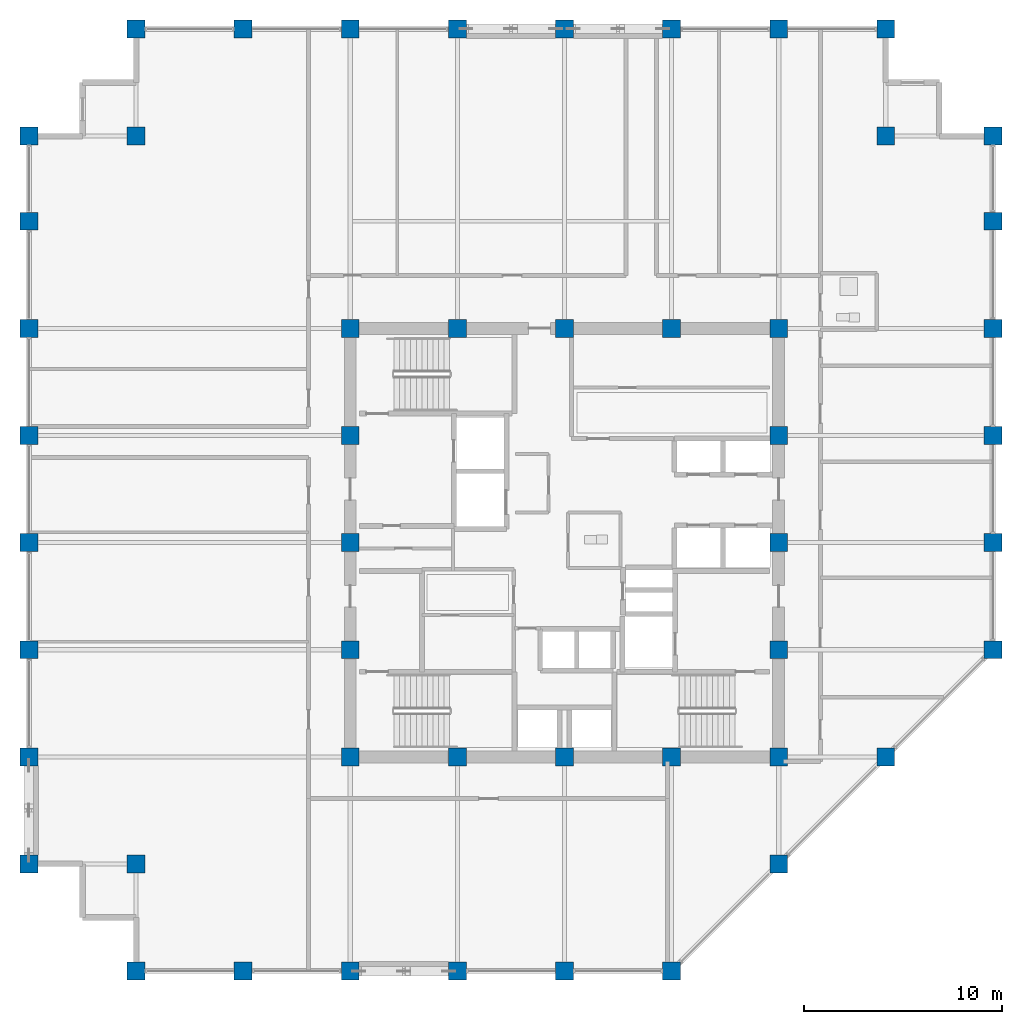
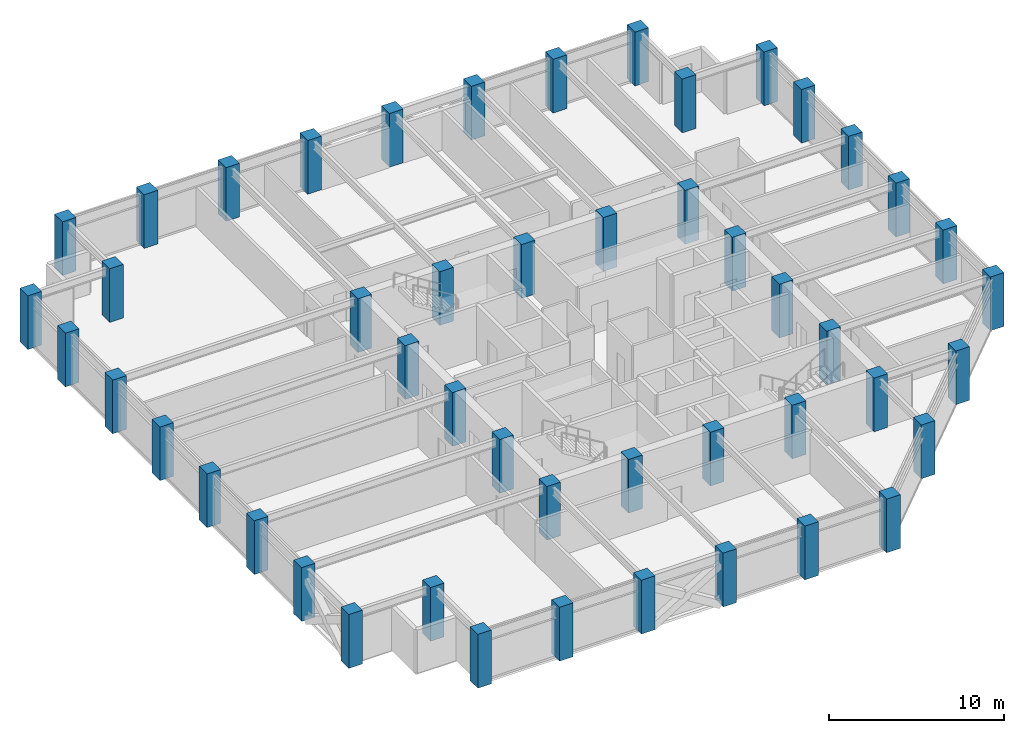
# One storey, part 1 of 32: 49 columns.
"""IFC4 building model written with IfcOpenShell, lengths in metres."""

from ifc_helpers import new_model, si_unit, direction, frame, origin, origin_2d, place, context, subcontext, project, spatial, rectangle, extrude, material, material_profile, profile_set, type_object, element, save


model = new_model("IFC4")

# Units and contexts
model_context = context("Model", 3, precision=1e-05, world=origin(), true_north=direction((0.0, 1.0)))
body_context = subcontext(model_context, "Body", "Model", "MODEL_VIEW")
ifc_project = project(units=[si_unit("LENGTHUNIT", "METRE"), si_unit("AREAUNIT", "SQUARE_METRE"), si_unit("VOLUMEUNIT", "CUBIC_METRE"), si_unit("PLANEANGLEUNIT", "RADIAN"), si_unit("MASSUNIT", "GRAM", prefix="KILO")], contexts=[model_context])

# Site, building, storey
site_placement = place(None, origin())
site = spatial("IfcSite", under=ifc_project, at=site_placement, CompositionType="ELEMENT")
building_placement = place(site_placement, origin())
building = spatial("IfcBuilding", under=site, at=building_placement, Name="Surkhivell Harbour Commons", CompositionType="ELEMENT")
storey_placement = place(building_placement, frame((0.0, 0.0, 197.25)))
storey = spatial("IfcBuildingStorey", under=building, at=storey_placement, Name="L51", CompositionType="ELEMENT", Elevation=197.25)

# Columns
ifc_material = material(Name="Concrete C60/75", Category="concrete")
ifc_material_profile = material_profile(ifc_material, rectangle(XDim=0.89990234375, YDim=0.89990234375, at=origin_2d()), Name="RC-COL-900x900")
ifc_profile_set = profile_set([ifc_material_profile], Name="Concrete C60/75")
column_type = type_object("IfcColumnType", Name="COL-TUBE-Z3A", PredefinedType="COLUMN", material=ifc_profile_set)
for number, where, z_axis, x_axis, name in (
    (1, (-27.0, -16.199951171875, 0.0), (0.0, 0.0, 1.0), (1.0, 0.0, 0.0), "L51 Column CT-3A (-27.0,-16.2)"),
    (2, (-27.0, -10.800048828125, 0.0), (0.0, 0.0, 1.0), (1.0, 0.0, 0.0), "L51 Column CT-3A (-27.0,-10.8)"),
    (3, (-27.0, -5.39990234375, 0.0), (0.0, 0.0, 1.0), (1.0, 0.0, 0.0), "L51 Column CT-3A (-27.0,-5.4)"),
    (4, (-27.0, 0.0, 0.0), (0.0, 0.0, 1.0), (1.0, 0.0, 0.0), "L51 Column CT-3A (-27.0,0.0)"),
    (5, (-27.0, 5.39990234375, 0.0), (0.0, 0.0, 1.0), (1.0, 0.0, 0.0), "L51 Column CT-3A (-27.0,5.4)"),
    (6, (-27.0, 10.800048828125, 0.0), (0.0, 0.0, 1.0), (1.0, 0.0, 0.0), "L51 Column CT-3A (-27.0,10.8)"),
    (7, (-27.0, 16.199951171875, 0.0), (0.0, 0.0, 1.0), (1.0, 0.0, 0.0), "L51 Column CT-3A (-27.0,16.2)"),
    (8, (-27.0, 20.5, 0.0), (0.0, 0.0, 1.0), (1.0, 0.0, 0.0), "L51 Column CT-3A (-27.0,20.5)"),
    (9, (-21.60009765625, -21.60009765625, 0.0), (0.0, 0.0, 1.0), (1.0, 0.0, 0.0), "L51 Column CT-3A (-21.6,-21.6)"),
    (10, (-21.60009765625, -16.199951171875, 0.0), (0.0, 0.0, 1.0), (1.0, 0.0, 0.0), "L51 Column CT-3A (-21.6,-16.2)"),
    (11, (-21.60009765625, 20.5, 0.0), (0.0, 0.0, 1.0), (1.0, 0.0, 0.0), "L51 Column CT-3A (-21.6,20.5)"),
    (12, (-21.60009765625, 25.89990234375, 0.0), (0.0, 0.0, 1.0), (1.0, 0.0, 0.0), "L51 Column CT-3A (-21.6,25.9)"),
    (13, (-16.199951171875, -21.60009765625, 0.0), (0.0, 0.0, 1.0), (1.0, 0.0, 0.0), "L51 Column CT-3A (-16.2,-21.6)"),
    (14, (-16.199951171875, 25.89990234375, 0.0), (0.0, 0.0, 1.0), (1.0, 0.0, 0.0), "L51 Column CT-3A (-16.2,25.9)"),
    (15, (-10.800048828125, -21.60009765625, 0.0), (0.0, 0.0, 1.0), (1.0, 0.0, 0.0), "L51 Column CT-3A (-10.8,-21.6)"),
    (16, (-10.800048828125, -10.800048828125, 0.0), (0.0, 0.0, 1.0), (1.0, 0.0, 0.0), "L51 Column CT-3A (-10.8,-10.8)"),
    (17, (-10.800048828125, -5.39990234375, 0.0), (0.0, 0.0, 1.0), (1.0, 0.0, 0.0), "L51 Column CT-3A (-10.8,-5.4)"),
    (18, (-10.800048828125, 0.0, 0.0), (0.0, 0.0, 1.0), (1.0, 0.0, 0.0), "L51 Column CT-3A (-10.8,0.0)"),
    (19, (-10.800048828125, 5.39990234375, 0.0), (0.0, 0.0, 1.0), (1.0, 0.0, 0.0), "L51 Column CT-3A (-10.8,5.4)"),
    (20, (-10.800048828125, 10.800048828125, 0.0), (0.0, 0.0, 1.0), (1.0, 0.0, 0.0), "L51 Column CT-3A (-10.8,10.8)"),
    (21, (-10.800048828125, 25.89990234375, 0.0), (0.0, 0.0, 1.0), (1.0, 0.0, 0.0), "L51 Column CT-3A (-10.8,25.9)"),
    (22, (-5.39990234375, -21.60009765625, 0.0), (0.0, 0.0, 1.0), (1.0, 0.0, 0.0), "L51 Column CT-3A (-5.4,-21.6)"),
    (23, (-5.39990234375, -10.800048828125, 0.0), (0.0, 0.0, 1.0), (1.0, 0.0, 0.0), "L51 Column CT-3A (-5.4,-10.8)"),
    (24, (-5.39990234375, 10.800048828125, 0.0), (0.0, 0.0, 1.0), (1.0, 0.0, 0.0), "L51 Column CT-3A (-5.4,10.8)"),
    (25, (-5.39990234375, 25.89990234375, 0.0), (0.0, 0.0, 1.0), (1.0, 0.0, 0.0), "L51 Column CT-3A (-5.4,25.9)"),
    (26, (0.0, -21.60009765625, 0.0), (0.0, 0.0, 1.0), (1.0, 0.0, 0.0), "L51 Column CT-3A (-0.0,-21.6)"),
    (27, (0.0, -10.800048828125, 0.0), (0.0, 0.0, 1.0), (1.0, 0.0, 0.0), "L51 Column CT-3A (0.0,-10.8)"),
    (28, (0.0, 10.800048828125, 0.0), (0.0, 0.0, 1.0), (1.0, 0.0, 0.0), "L51 Column CT-3A (0.0,10.8)"),
    (29, (0.0, 25.89990234375, 0.0), (0.0, 0.0, 1.0), (1.0, 0.0, 0.0), "L51 Column CT-3A (-0.0,25.9)"),
    (30, (5.39990234375, -21.60009765625, 0.0), (0.0, 0.0, 1.0), (1.0, 0.0, 0.0), "L51 Column CT-3A (5.4,-21.6)"),
    (31, (5.39990234375, -10.800048828125, 0.0), (0.0, 0.0, 1.0), (1.0, 0.0, 0.0), "L51 Column CT-3A (5.4,-10.8)"),
    (32, (5.39990234375, 10.800048828125, 0.0), (0.0, 0.0, 1.0), (1.0, 0.0, 0.0), "L51 Column CT-3A (5.4,10.8)"),
    (33, (5.39990234375, 25.89990234375, 0.0), (0.0, 0.0, 1.0), (1.0, 0.0, 0.0), "L51 Column CT-3A (5.4,25.9)"),
    (34, (10.800048828125, -16.199951171875, 0.0), (0.0, 0.0, 1.0), (1.0, 0.0, 0.0), "L51 Column CT-3A (10.8,-16.2)"),
    (35, (10.800048828125, -10.800048828125, 0.0), (0.0, 0.0, 1.0), (1.0, 0.0, 0.0), "L51 Column CT-3A (10.8,-10.8)"),
    (36, (10.800048828125, -5.39990234375, 0.0), (0.0, 0.0, 1.0), (1.0, 0.0, 0.0), "L51 Column CT-3A (10.8,-5.4)"),
    (37, (10.800048828125, 0.0, 0.0), (0.0, 0.0, 1.0), (1.0, 0.0, 0.0), "L51 Column CT-3A (10.8,0.0)"),
    (38, (10.800048828125, 5.39990234375, 0.0), (0.0, 0.0, 1.0), (1.0, 0.0, 0.0), "L51 Column CT-3A (10.8,5.4)"),
    (39, (10.800048828125, 10.800048828125, 0.0), (0.0, 0.0, 1.0), (1.0, 0.0, 0.0), "L51 Column CT-3A (10.8,10.8)"),
    (40, (10.800048828125, 25.89990234375, 0.0), (0.0, 0.0, 1.0), (1.0, 0.0, 0.0), "L51 Column CT-3A (10.8,25.9)"),
    (41, (16.199951171875, -10.800048828125, 0.0), (0.0, 0.0, 1.0), (1.0, 0.0, 0.0), "L51 Column CT-3A (16.2,-10.8)"),
    (42, (16.199951171875, 20.5, 0.0), (0.0, 0.0, 1.0), (1.0, 0.0, 0.0), "L51 Column CT-3A (16.2,20.5)"),
    (43, (16.199951171875, 25.89990234375, 0.0), (0.0, 0.0, 1.0), (1.0, 0.0, 0.0), "L51 Column CT-3A (16.2,25.9)"),
    (44, (21.60009765625, -5.39990234375, 0.0), (0.0, 0.0, 1.0), (1.0, 0.0, 0.0), "L51 Column CT-3A (21.6,-5.4)"),
    (45, (21.60009765625, 0.0, 0.0), (0.0, 0.0, 1.0), (1.0, 0.0, 0.0), "L51 Column CT-3A (21.6,0.0)"),
    (46, (21.60009765625, 5.39990234375, 0.0), (0.0, 0.0, 1.0), (1.0, 0.0, 0.0), "L51 Column CT-3A (21.6,5.4)"),
    (47, (21.60009765625, 10.800048828125, 0.0), (0.0, 0.0, 1.0), (1.0, 0.0, 0.0), "L51 Column CT-3A (21.6,10.8)"),
    (48, (21.60009765625, 16.199951171875, 0.0), (0.0, 0.0, 1.0), (1.0, 0.0, 0.0), "L51 Column CT-3A (21.6,16.2)"),
    (49, (21.60009765625, 20.5, 0.0), (0.0, 0.0, 1.0), (1.0, 0.0, 0.0), "L51 Column CT-3A (21.6,20.5)"),
):
    element("IfcColumn", number, at=place(storey_placement, frame(where, z_axis=z_axis, x_axis=x_axis)), inside=storey, type_object=column_type, Name=name, PredefinedType="COLUMN", context=body_context, shape_type="SweptSolid", body=[
        extrude(rectangle(XDim=0.89990234375, YDim=0.89990234375, at=origin_2d()), origin(), (0.0, 0.0, 1.0), 3.75),
    ])

save(model, "model.ifc")
